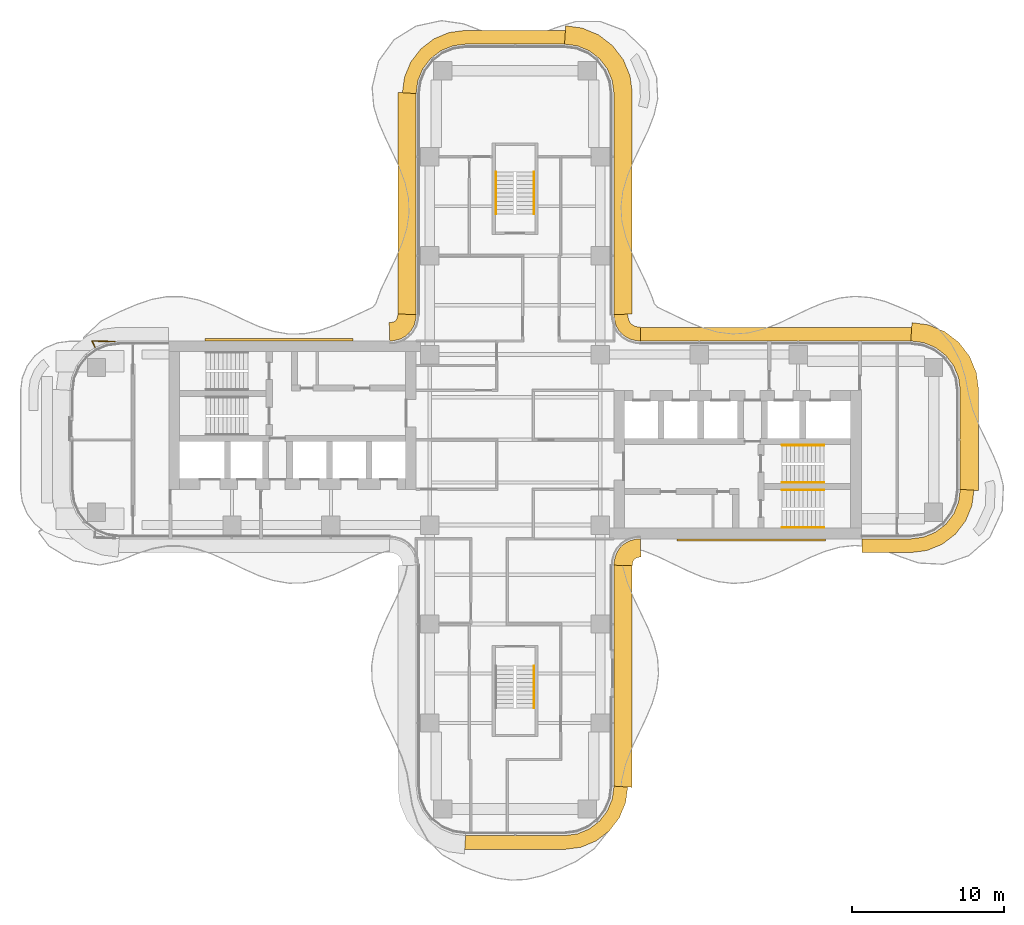
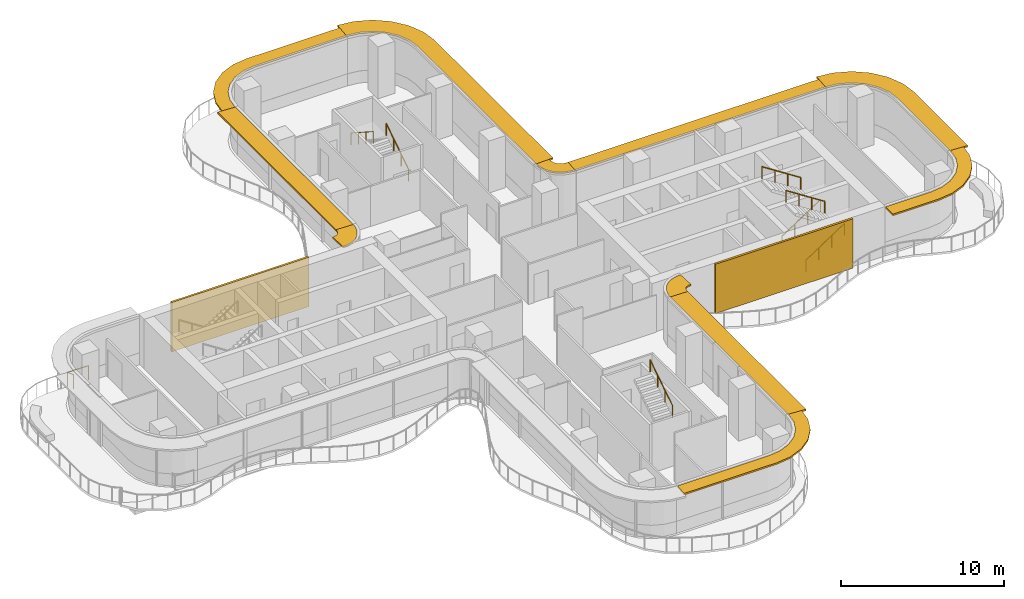
# One storey, part 17 of 17: 11 shading devices, 8 railings, 2 coverings.
"""IFC4 building model written with IfcOpenShell, lengths in metres."""

from ifc_helpers import new_model, si_unit, direction, frame, origin, origin_2d, place, context, subcontext, project, spatial, polyline, rectangle, circle, outline, extrude, source, transform, mapped, material, layer, layer_set, type_object, element, save


model = new_model("IFC4")

# Units and contexts
model_context = context("Model", 3, precision=1e-05, world=origin(), true_north=direction((0.0, 1.0)))
body_context = subcontext(model_context, "Body", "Model", "MODEL_VIEW")
ifc_project = project(units=[si_unit("LENGTHUNIT", "METRE"), si_unit("AREAUNIT", "SQUARE_METRE"), si_unit("VOLUMEUNIT", "CUBIC_METRE"), si_unit("PLANEANGLEUNIT", "RADIAN"), si_unit("MASSUNIT", "GRAM", prefix="KILO")], contexts=[model_context])

# Site, building, storey
site_placement = place(None, origin())
site = spatial("IfcSite", under=ifc_project, at=site_placement, CompositionType="ELEMENT")
building_placement = place(site_placement, origin())
building = spatial("IfcBuilding", under=site, at=building_placement, Name="Trellis Farm Tower", CompositionType="ELEMENT")
storey_placement = place(building_placement, frame((0.0, 0.0, 162.0)))
storey = spatial("IfcBuildingStorey", under=building, at=storey_placement, Name="L34", CompositionType="ELEMENT", Elevation=162.0)

# Railings
ifc_material_1 = material(Name="Stainless steel", Category="steel")
railing_type_1 = type_object("IfcRailingType", Name="STAIR HANDRAIL 900", PredefinedType="HANDRAIL", material=ifc_material_1)
shared_shape_1 = source(origin(), body_context, "Body", "SweptSolid", [
    extrude(circle(Radius=0.02392578125, at=origin_2d()), frame((0.0, 0.0, 0.8759765625), z_axis=(0.0, 0.840503830235, 0.541805602924), x_axis=(-1.0, 0.0, 0.0)), (0.0, 0.0, 1.0), 3.271728515625),
    extrude(circle(Radius=0.02099609375, at=origin_2d()), origin(), (0.0, 0.0, 1.0), 0.851806640625),
    extrude(circle(Radius=0.02099609375, at=origin_2d()), frame((0.0, 0.916748046875, 0.5908203125)), (0.0, 0.0, 1.0), 0.851806640625),
    extrude(circle(Radius=0.02099609375, at=origin_2d()), frame((0.0, 1.833251953125, 1.181884765625)), (0.0, 0.0, 1.0), 0.851806640625),
    extrude(circle(Radius=0.02099609375, at=origin_2d()), frame((0.0, 2.75, 1.772705078125)), (0.0, 0.0, 1.0), 0.851806640625),
])
for number, where, name in (
    (1, (1.25, 14.85009765625, 0.17724609375), "Stair handrail"),
    (2, (1.25, -17.60009765625, 2.127197265625), "Stair handrail"),
):
    element("IfcRailing", number, at=place(storey_placement, frame(where)), inside=storey, type_object=railing_type_1, Name=name, PredefinedType="HANDRAIL", context=body_context, shape_type="MappedRepresentation", body=[
        mapped(shared_shape_1, transform((0.0, 0.0, 0.0))),
    ])
shared_shape_2 = source(origin(), body_context, "Body", "SweptSolid", [
    extrude(circle(Radius=0.02392578125, at=origin_2d()), frame((0.0, 0.0, 0.8759765625), z_axis=(0.0, -0.840503830235, 0.541805602924), x_axis=(1.0, 0.0, 0.0)), (0.0, 0.0, 1.0), 3.271728515625),
    extrude(circle(Radius=0.02099609375, at=origin_2d()), origin(), (0.0, 0.0, 1.0), 0.851806640625),
    extrude(circle(Radius=0.02099609375, at=origin_2d()), frame((0.0, -0.916748046875, 0.5908203125)), (0.0, 0.0, 1.0), 0.851806640625),
    extrude(circle(Radius=0.02099609375, at=origin_2d()), frame((0.0, -1.833251953125, 1.181884765625)), (0.0, 0.0, 1.0), 0.851806640625),
    extrude(circle(Radius=0.02099609375, at=origin_2d()), frame((0.0, -2.75, 1.772705078125)), (0.0, 0.0, 1.0), 0.851806640625),
])
railing_1_placement = place(storey_placement, frame((-1.25, 17.60009765625, 2.127197265625)))
element("IfcRailing", 3, at=railing_1_placement, inside=storey, type_object=railing_type_1, Name="Stair handrail", PredefinedType="HANDRAIL", context=body_context, shape_type="MappedRepresentation", body=[
    mapped(shared_shape_2, transform((0.0, 0.0, 0.0))),
])
shared_shape_3 = source(origin(), body_context, "Body", "SweptSolid", [
    extrude(circle(Radius=0.02392578125, at=origin_2d()), frame((0.0, 0.0, 0.8759765625), z_axis=(0.840503830235, 0.0, 0.541805602924), x_axis=(0.0, 1.0, 0.0)), (0.0, 0.0, 1.0), 3.271728515625),
    extrude(circle(Radius=0.02099609375, at=origin_2d()), origin(), (0.0, 0.0, 1.0), 0.851806640625),
    extrude(circle(Radius=0.02099609375, at=origin_2d()), frame((0.916748046875, 0.0, 0.5908203125)), (0.0, 0.0, 1.0), 0.851806640625),
    extrude(circle(Radius=0.02099609375, at=origin_2d()), frame((1.833251953125, 0.0, 1.181884765625)), (0.0, 0.0, 1.0), 0.851806640625),
    extrude(circle(Radius=0.02099609375, at=origin_2d()), frame((2.75, 0.0, 1.772705078125)), (0.0, 0.0, 1.0), 0.851806640625),
])
for number, where, name in (
    (4, (17.550048828125, -5.75, 0.17724609375), "Stair handrail"),
    (5, (17.550048828125, -2.800048828125, 0.17724609375), "Stair handrail"),
):
    element("IfcRailing", number, at=place(storey_placement, frame(where)), inside=storey, type_object=railing_type_1, Name=name, PredefinedType="HANDRAIL", context=body_context, shape_type="MappedRepresentation", body=[
        mapped(shared_shape_3, transform((0.0, 0.0, 0.0))),
    ])
shared_shape_4 = source(origin(), body_context, "Body", "SweptSolid", [
    extrude(circle(Radius=0.02392578125, at=origin_2d()), frame((0.0, 0.0, 0.8759765625), z_axis=(-0.840503830235, 0.0, 0.541805602924), x_axis=(0.0, -1.0, 0.0)), (0.0, 0.0, 1.0), 3.271728515625),
    extrude(circle(Radius=0.02099609375, at=origin_2d()), origin(), (0.0, 0.0, 1.0), 0.851806640625),
    extrude(circle(Radius=0.02099609375, at=origin_2d()), frame((-0.916748046875, 0.0, 0.5908203125)), (0.0, 0.0, 1.0), 0.851806640625),
    extrude(circle(Radius=0.02099609375, at=origin_2d()), frame((-1.833251953125, 0.0, 1.181884765625)), (0.0, 0.0, 1.0), 0.851806640625),
    extrude(circle(Radius=0.02099609375, at=origin_2d()), frame((-2.75, 0.0, 1.772705078125)), (0.0, 0.0, 1.0), 0.851806640625),
])
for number, where, name in (
    (6, (20.300048828125, -3.300048828125, 2.127197265625), "Stair handrail"),
    (7, (20.300048828125, -0.35009765625, 2.127197265625), "Stair handrail"),
):
    element("IfcRailing", number, at=place(storey_placement, frame(where)), inside=storey, type_object=railing_type_1, Name=name, PredefinedType="HANDRAIL", context=body_context, shape_type="MappedRepresentation", body=[
        mapped(shared_shape_4, transform((0.0, 0.0, 0.0))),
    ])

# Shading devices
ifc_material_2 = material(Name="Aluminium extrusion 6063-T6", Category="aluminium")
ifc_layer_1 = layer(ifc_material_2, 0.1201171875)
ifc_layer_set_1 = layer_set([ifc_layer_1], Name="SUNSHADE BLADE 1200")
shading_device_type_1 = type_object("IfcShadingDeviceType", Name="SUNSHADE BLADE 1200", PredefinedType="USERDEFINED", material=ifc_layer_set_1)
shared_shape_5 = source(origin(), body_context, "Body", "SweptSolid", [
    extrude(outline(polyline([(7.699951171875, -8.270751953125), (7.708740234375, -8.13720703125), (7.70703125, -8.150146484375), (7.7548828125, -7.9716796875), (7.80712890625, -7.881103515625), (7.881103515625, -7.80712890625), (7.9716796875, -7.7548828125), (8.150146484375, -7.70703125), (8.13720703125, -7.708740234375), (8.270751953125, -7.699951171875), (8.2314453125, -6.5), (8.01953125, -6.513916015625), (7.91552734375, -6.527587890625), (7.508544921875, -6.63671875), (7.144287109375, -6.846923828125), (6.846923828125, -7.144287109375), (6.63671875, -7.508544921875), (6.527587890625, -7.91552734375), (6.513916015625, -8.01953125), (6.5, -8.2314453125), (7.699951171875, -8.270751953125)])), origin(), (0.0, 0.0, 1.0), 0.119873046875),
])
placement_1 = place(storey_placement, frame((0.0, 0.0, 3.5400390625)))
element("IfcShadingDevice", 8, at=placement_1, inside=storey, type_object=shading_device_type_1, Name="SD2 006", ObjectType="SUNSHADE", PredefinedType="USERDEFINED", context=body_context, shape_type="MappedRepresentation", body=[
    mapped(shared_shape_5, transform((0.0, 0.0, 0.0))),
])
ifc_layer_2 = layer(ifc_material_2, 0.1201171875)
ifc_layer_set_2 = layer_set([ifc_layer_2], Name="SUNSHADE BLADE 900")
shading_device_type_2 = type_object("IfcShadingDeviceType", Name="SUNSHADE BLADE 900", PredefinedType="USERDEFINED", material=ifc_layer_set_2)
shared_shape_6 = source(origin(), body_context, "Body", "SweptSolid", [
    extrude(outline(polyline([(8.2607421875, 7.39990234375), (8.107666015625, 7.409912109375), (8.091552734375, 7.412109375), (7.85595703125, 7.475341796875), (7.697021484375, 7.567138671875), (7.567138671875, 7.697021484375), (7.475341796875, 7.85595703125), (7.412109375, 8.091552734375), (7.409912109375, 8.107666015625), (7.39990234375, 8.2607421875), (6.5, 8.2314453125), (6.513916015625, 8.01953125), (6.527587890625, 7.91552734375), (6.63671875, 7.508544921875), (6.846923828125, 7.144287109375), (7.144287109375, 6.846923828125), (7.508544921875, 6.63671875), (7.91552734375, 6.527587890625), (8.01953125, 6.513916015625), (8.2314453125, 6.5), (8.2607421875, 7.39990234375)])), origin(), (0.0, 0.0, 1.0), 0.119873046875),
])
element("IfcShadingDevice", 9, at=placement_1, inside=storey, type_object=shading_device_type_2, Name="SD1 010", ObjectType="SUNSHADE", PredefinedType="USERDEFINED", context=body_context, shape_type="MappedRepresentation", body=[
    mapped(shared_shape_6, transform((0.0, 0.0, 0.0))),
])
shared_shape_7 = source(origin(), body_context, "Body", "SweptSolid", [
    extrude(outline(polyline([(-7.699951171875, 8.270751953125), (-7.708740234375, 8.13720703125), (-7.70703125, 8.150146484375), (-7.7548828125, 7.9716796875), (-7.80712890625, 7.881103515625), (-7.881103515625, 7.80712890625), (-7.9716796875, 7.7548828125), (-8.150146484375, 7.70703125), (-8.13720703125, 7.708740234375), (-8.270751953125, 7.699951171875), (-8.2314453125, 6.5), (-8.01953125, 6.513916015625), (-7.91552734375, 6.527587890625), (-7.508544921875, 6.63671875), (-7.144287109375, 6.846923828125), (-6.846923828125, 7.144287109375), (-6.63671875, 7.508544921875), (-6.527587890625, 7.91552734375), (-6.513916015625, 8.01953125), (-6.5, 8.2314453125), (-7.699951171875, 8.270751953125)])), origin(), (0.0, 0.0, 1.0), 0.119873046875),
])
element("IfcShadingDevice", 10, at=placement_1, inside=storey, type_object=shading_device_type_1, Name="SD2 014", ObjectType="SUNSHADE", PredefinedType="USERDEFINED", context=body_context, shape_type="MappedRepresentation", body=[
    mapped(shared_shape_7, transform((0.0, 0.0, 0.0))),
])
shared_shape_8 = source(origin(), body_context, "Body", "SweptSolid", [
    extrude(outline(polyline([(7.699951171875, 8.270751953125), (7.699951171875, 22.82861328125), (7.558349609375, 23.904541015625), (7.11279296875, 24.980224609375), (6.404052734375, 25.904052734375), (5.480224609375, 26.61279296875), (4.404541015625, 27.058349609375), (3.32861328125, 27.199951171875), (3.25, 26.0), (4.091064453125, 25.88916015625), (4.875, 25.564697265625), (5.548095703125, 25.048095703125), (6.064697265625, 24.375), (6.38916015625, 23.591064453125), (6.5, 22.75), (6.5, 8.2314453125), (7.699951171875, 8.270751953125)])), origin(), (0.0, 0.0, 1.0), 0.119873046875),
])
element("IfcShadingDevice", 11, at=placement_1, inside=storey, type_object=shading_device_type_1, Name="SD2 011", ObjectType="SUNSHADE", PredefinedType="USERDEFINED", context=body_context, shape_type="MappedRepresentation", body=[
    mapped(shared_shape_8, transform((0.0, 0.0, 0.0))),
])
shared_shape_9 = source(origin(), body_context, "Body", "SweptSolid", [
    extrude(outline(polyline([(3.30908203125, 26.89990234375), (-3.30908203125, 26.89990234375), (-4.326171875, 26.76611328125), (-5.328857421875, 26.350830078125), (-6.18994140625, 25.68994140625), (-6.850830078125, 24.828857421875), (-7.26611328125, 23.826171875), (-7.39990234375, 22.80908203125), (-6.5, 22.75), (-6.38916015625, 23.591064453125), (-6.064697265625, 24.375), (-5.548095703125, 25.048095703125), (-4.875, 25.564697265625), (-4.091064453125, 25.88916015625), (-3.25, 26.0), (3.25, 26.0), (3.30908203125, 26.89990234375)])), origin(), (0.0, 0.0, 1.0), 0.119873046875),
])
element("IfcShadingDevice", 12, at=placement_1, inside=storey, type_object=shading_device_type_2, Name="SD1 012", ObjectType="SUNSHADE", PredefinedType="USERDEFINED", context=body_context, shape_type="MappedRepresentation", body=[
    mapped(shared_shape_9, transform((0.0, 0.0, 0.0))),
])
shared_shape_10 = source(origin(), body_context, "Body", "SweptSolid", [
    extrude(outline(polyline([(-7.699951171875, 22.82861328125), (-7.699951171875, 8.270751953125), (-6.5, 8.2314453125), (-6.5, 22.75), (-7.699951171875, 22.82861328125)])), origin(), (0.0, 0.0, 1.0), 0.119873046875),
])
element("IfcShadingDevice", 13, at=placement_1, inside=storey, type_object=shading_device_type_1, Name="SD2 013", ObjectType="SUNSHADE", PredefinedType="USERDEFINED", context=body_context, shape_type="MappedRepresentation", body=[
    mapped(shared_shape_10, transform((0.0, 0.0, 0.0))),
])
shared_shape_11 = source(origin(), body_context, "Body", "SweptSolid", [
    extrude(outline(polyline([(22.780029296875, -7.39990234375), (26.05908203125, -7.39990234375), (27.076171875, -7.26611328125), (28.078857421875, -6.850830078125), (28.93994140625, -6.18994140625), (29.600830078125, -5.328857421875), (30.01611328125, -4.326171875), (30.14990234375, -3.30908203125), (29.25, -3.25), (29.13916015625, -4.091064453125), (28.814697265625, -4.875), (28.298095703125, -5.548095703125), (27.625, -6.064697265625), (26.841064453125, -6.38916015625), (26.0, -6.5), (22.780029296875, -6.5), (22.780029296875, -7.39990234375)])), origin(), (0.0, 0.0, 1.0), 0.119873046875),
])
element("IfcShadingDevice", 14, at=placement_1, inside=storey, type_object=shading_device_type_2, Name="SD1 007", ObjectType="SUNSHADE", PredefinedType="USERDEFINED", context=body_context, shape_type="MappedRepresentation", body=[
    mapped(shared_shape_11, transform((0.0, 0.0, 0.0))),
])
shared_shape_12 = source(origin(), body_context, "Body", "SweptSolid", [
    extrude(outline(polyline([(30.449951171875, -3.32861328125), (30.449951171875, 3.32861328125), (30.308349609375, 4.404541015625), (29.86279296875, 5.480224609375), (29.154052734375, 6.404052734375), (28.230224609375, 7.11279296875), (27.154541015625, 7.558349609375), (26.07861328125, 7.699951171875), (26.0, 6.5), (26.841064453125, 6.38916015625), (27.625, 6.064697265625), (28.298095703125, 5.548095703125), (28.814697265625, 4.875), (29.13916015625, 4.091064453125), (29.25, 3.25), (29.25, -3.25), (30.449951171875, -3.32861328125)])), origin(), (0.0, 0.0, 1.0), 0.119873046875),
])
element("IfcShadingDevice", 15, at=placement_1, inside=storey, type_object=shading_device_type_1, Name="SD2 008", ObjectType="SUNSHADE", PredefinedType="USERDEFINED", context=body_context, shape_type="MappedRepresentation", body=[
    mapped(shared_shape_12, transform((0.0, 0.0, 0.0))),
])
shared_shape_13 = source(origin(), body_context, "Body", "SweptSolid", [
    extrude(outline(polyline([(26.05908203125, 7.39990234375), (8.2607421875, 7.39990234375), (8.2314453125, 6.5), (26.0, 6.5), (26.05908203125, 7.39990234375)])), origin(), (0.0, 0.0, 1.0), 0.119873046875),
])
element("IfcShadingDevice", 16, at=placement_1, inside=storey, type_object=shading_device_type_2, Name="SD1 009", ObjectType="SUNSHADE", PredefinedType="USERDEFINED", context=body_context, shape_type="MappedRepresentation", body=[
    mapped(shared_shape_13, transform((0.0, 0.0, 0.0))),
])
shared_shape_14 = source(origin(), body_context, "Body", "SweptSolid", [
    extrude(outline(polyline([(-3.30908203125, -26.89990234375), (3.30908203125, -26.89990234375), (4.326171875, -26.76611328125), (5.328857421875, -26.350830078125), (6.18994140625, -25.68994140625), (6.850830078125, -24.828857421875), (7.26611328125, -23.826171875), (7.39990234375, -22.80908203125), (6.5, -22.75), (6.38916015625, -23.591064453125), (6.064697265625, -24.375), (5.548095703125, -25.048095703125), (4.875, -25.564697265625), (4.091064453125, -25.88916015625), (3.25, -26.0), (-3.25, -26.0), (-3.30908203125, -26.89990234375)])), origin(), (0.0, 0.0, 1.0), 0.119873046875),
])
element("IfcShadingDevice", 17, at=placement_1, inside=storey, type_object=shading_device_type_2, Name="SD1 004", ObjectType="SUNSHADE", PredefinedType="USERDEFINED", context=body_context, shape_type="MappedRepresentation", body=[
    mapped(shared_shape_14, transform((0.0, 0.0, 0.0))),
])
shared_shape_15 = source(origin(), body_context, "Body", "SweptSolid", [
    extrude(outline(polyline([(7.699951171875, -22.82861328125), (7.699951171875, -8.270751953125), (6.5, -8.2314453125), (6.5, -22.75), (7.699951171875, -22.82861328125)])), origin(), (0.0, 0.0, 1.0), 0.119873046875),
])
element("IfcShadingDevice", 18, at=placement_1, inside=storey, type_object=shading_device_type_1, Name="SD2 005", ObjectType="SUNSHADE", PredefinedType="USERDEFINED", context=body_context, shape_type="MappedRepresentation", body=[
    mapped(shared_shape_15, transform((0.0, 0.0, 0.0))),
])

# Coverings
ifc_material_3 = material(Name="Perforated precast screen (cobogo)", Category="concrete")
ifc_layer_3 = layer(ifc_material_3, 0.14990234375)
ifc_layer_set_3 = layer_set([ifc_layer_3], Name="COBOGO SCREEN PANEL")
covering_type = type_object("IfcCoveringType", Name="COBOGO SCREEN PANEL", PredefinedType="USERDEFINED", material=ifc_layer_set_3)
shared_shape_16 = source(origin(), body_context, "Body", "SweptSolid", [
    extrude(outline(polyline([(10.630615234375, -6.64990234375), (20.380615234375, -6.64990234375), (20.380615234375, -6.5), (10.630615234375, -6.5), (10.630615234375, -6.64990234375)])), origin(), (0.0, 0.0, 1.0), 3.699951171875),
])
placement_2 = place(storey_placement, origin())
element("IfcCovering", 19, at=placement_2, inside=storey, type_object=covering_type, Name="SC1 01", ObjectType="SCREEN", PredefinedType="USERDEFINED", context=body_context, shape_type="MappedRepresentation", body=[
    mapped(shared_shape_16, transform((0.0, 0.0, 0.0))),
])
shared_shape_17 = source(origin(), body_context, "Body", "SweptSolid", [
    extrude(outline(polyline([(-10.630615234375, 6.64990234375), (-20.380615234375, 6.64990234375), (-20.380615234375, 6.5), (-10.630615234375, 6.5), (-10.630615234375, 6.64990234375)])), origin(), (0.0, 0.0, 1.0), 3.699951171875),
])
element("IfcCovering", 20, at=placement_2, inside=storey, type_object=covering_type, Name="SC1 02", ObjectType="SCREEN", PredefinedType="USERDEFINED", context=body_context, shape_type="MappedRepresentation", body=[
    mapped(shared_shape_17, transform((0.0, 0.0, 0.0))),
])

# Railing
ifc_material_4 = material(Name="Stainless steel 316", Category="steel")
railing_type_2 = type_object("IfcRailingType", Name="BALUSTRADE GUARD 1100", PredefinedType="GUARDRAIL", material=ifc_material_4)
shared_shape_18 = source(origin(), body_context, "Body", "SweptSolid", [
    extrude(rectangle(XDim=0.050048828125, YDim=0.050048828125, at=origin_2d()), frame((0.0, 0.0, 1.0751953125), z_axis=(-0.999644808217, 0.026650654848, 0.0), x_axis=(-0.026650654848, -0.999644808217, 0.0)), (0.0, 0.0, 1.0), 1.4931640625),
    extrude(rectangle(XDim=0.050048828125, YDim=0.050048828125, at=origin_2d()), frame((-1.49267578125, 0.039794921875, 1.0751953125), z_axis=(0.432748037993, -0.901514911476, 0.0), x_axis=(0.901514911476, 0.432748037993, 0.0)), (0.0, 0.0, 1.0), 0.4677734375),
    extrude(rectangle(XDim=0.0400390625, YDim=0.0400390625, at=origin_2d()), origin(), (0.0, 0.0, 1.0), 1.050048828125),
    extrude(rectangle(XDim=0.0400390625, YDim=0.0400390625, at=origin_2d()), frame((-1.49267578125, 0.039794921875, 0.0)), (0.0, 0.0, 1.0), 1.050048828125),
    extrude(rectangle(XDim=0.0400390625, YDim=0.0400390625, at=origin_2d()), frame((-1.290283203125, -0.3818359375, 0.0)), (0.0, 0.0, 1.0), 1.050048828125),
])
railing_2_placement = place(storey_placement, frame((-26.30126953125, 6.460205078125, 0.0)))
element("IfcRailing", 21, at=railing_2_placement, inside=storey, type_object=railing_type_2, Name="GD1 BAL-3", PredefinedType="GUARDRAIL", context=body_context, shape_type="MappedRepresentation", body=[
    mapped(shared_shape_18, transform((0.0, 0.0, 0.0))),
])

save(model, "model.ifc")
